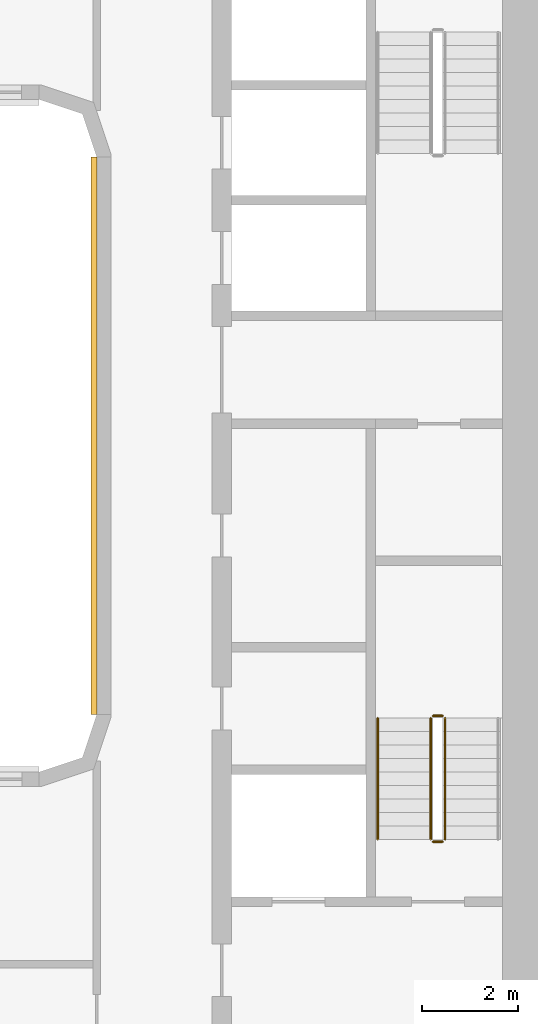
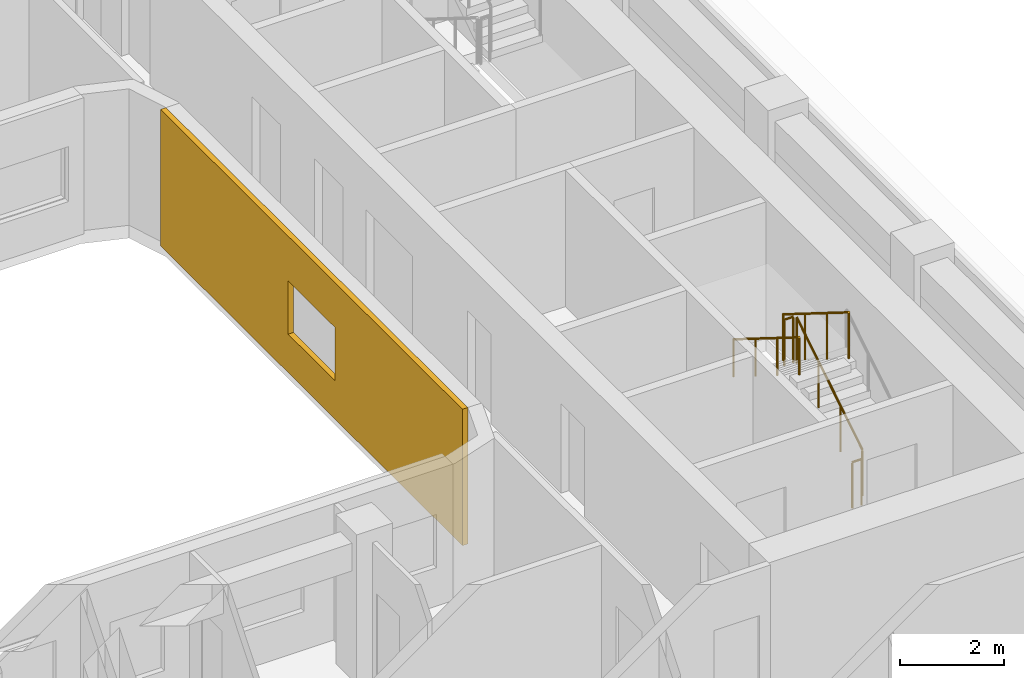
# One storey, part 16 of 21: 5 railings, 1 covering.
"""IFC4 building model written with IfcOpenShell, lengths in metres."""

from ifc_helpers import new_model, si_unit, direction, frame, origin, origin_2d, place, context, subcontext, project, spatial, polyline, circle, outline, extrude, material, layer, layer_set, type_object, element, save


model = new_model("IFC4")

# Units and contexts
model_context = context("Model", 3, precision=1e-05, world=origin(), true_north=direction((0.0, 1.0)))
body_context = subcontext(model_context, "Body", "Model", "MODEL_VIEW")
ifc_project = project(units=[si_unit("LENGTHUNIT", "METRE"), si_unit("AREAUNIT", "SQUARE_METRE"), si_unit("VOLUMEUNIT", "CUBIC_METRE"), si_unit("PLANEANGLEUNIT", "RADIAN"), si_unit("MASSUNIT", "GRAM", prefix="KILO")], contexts=[model_context])

# Site, building, storey
site_placement = place(None, origin())
site = spatial("IfcSite", under=ifc_project, at=site_placement, CompositionType="ELEMENT")
building_placement = place(site_placement, origin())
building = spatial("IfcBuilding", under=site, at=building_placement, Name="Kiln Ring Residences", CompositionType="ELEMENT")
storey_placement = place(building_placement, frame((0.0, 0.0, 192.39990234375)))
storey = spatial("IfcBuildingStorey", under=building, at=storey_placement, Name="L49", CompositionType="ELEMENT", Elevation=192.39990234375)

# Railings
ifc_material_1 = material(Name="Stainless steel", Category="steel")
railing_type_1 = type_object("IfcRailingType", Name="CORE-STAIR-GUARD", PredefinedType="GUARDRAIL", material=ifc_material_1)
railing_1_placement = place(storey_placement, frame((22.25, -8.39990234375, 0.175048828125)))
element("IfcRailing", 1, at=railing_1_placement, inside=storey, type_object=railing_type_1, Name="L49 E-STS stair guard 1", PredefinedType="GUARDRAIL", context=body_context, shape_type="SweptSolid", body=[
    extrude(circle(Radius=0.02392578125, at=origin_2d()), frame((0.0, 0.0, 1.076171875), z_axis=(0.0, 0.848007534815, 0.529984170421), x_axis=(-1.0, 0.0, 0.0)), (0.0, 0.0, 1.0), 2.9716796875),
    extrude(circle(Radius=0.02099609375, at=origin_2d()), origin(), (0.0, 0.0, 1.0), 1.052001953125),
    extrude(circle(Radius=0.02099609375, at=origin_2d()), frame((0.0, 0.840087890625, 0.52490234375)), (0.0, 0.0, 1.0), 1.052001953125),
    extrude(circle(Radius=0.02099609375, at=origin_2d()), frame((0.0, 1.679931640625, 1.050048828125)), (0.0, 0.0, 1.0), 1.052001953125),
    extrude(circle(Radius=0.02099609375, at=origin_2d()), frame((0.0, 2.52001953125, 1.574951171875)), (0.0, 0.0, 1.0), 1.052001953125),
])
railing_2_placement = place(storey_placement, frame((22.199951171875, -5.830078125, 1.75)))
element("IfcRailing", 2, at=railing_2_placement, inside=storey, type_object=railing_type_1, Name="L49 E-STS stair guard 2", PredefinedType="GUARDRAIL", context=body_context, shape_type="SweptSolid", body=[
    extrude(circle(Radius=0.02392578125, at=origin_2d()), frame((0.0, 0.0, 1.076171875), z_axis=(-1.0, 0.0, 0.0), x_axis=(0.0, -1.0, 0.0)), (0.0, 0.0, 1.0), 0.199951171875),
    extrude(circle(Radius=0.02099609375, at=origin_2d()), origin(), (0.0, 0.0, 1.0), 1.052001953125),
    extrude(circle(Radius=0.02099609375, at=origin_2d()), frame((-0.199951171875, 0.0, 0.0)), (0.0, 0.0, 1.0), 1.052001953125),
])
railing_3_placement = place(storey_placement, frame((21.949951171875, -5.8798828125, 1.925048828125)))
element("IfcRailing", 3, at=railing_3_placement, inside=storey, type_object=railing_type_1, Name="L49 E-STS stair guard 3", PredefinedType="GUARDRAIL", context=body_context, shape_type="SweptSolid", body=[
    extrude(circle(Radius=0.02392578125, at=origin_2d()), frame((0.0, 0.0, 1.076171875), z_axis=(0.0, -0.848007534815, 0.529984170421), x_axis=(1.0, 0.0, 0.0)), (0.0, 0.0, 1.0), 2.9716796875),
    extrude(circle(Radius=0.02099609375, at=origin_2d()), origin(), (0.0, 0.0, 1.0), 1.052001953125),
    extrude(circle(Radius=0.02099609375, at=origin_2d()), frame((0.0, -0.840087890625, 0.52490234375)), (0.0, 0.0, 1.0), 1.052001953125),
    extrude(circle(Radius=0.02099609375, at=origin_2d()), frame((0.0, -1.679931640625, 1.050048828125)), (0.0, 0.0, 1.0), 1.052001953125),
    extrude(circle(Radius=0.02099609375, at=origin_2d()), frame((0.0, -2.52001953125, 1.574951171875)), (0.0, 0.0, 1.0), 1.052001953125),
])
railing_4_placement = place(storey_placement, frame((22.199951171875, -8.449951171875, 0.0)))
element("IfcRailing", 4, at=railing_4_placement, inside=storey, type_object=railing_type_1, Name="L49 E-STS stair guard 4", PredefinedType="GUARDRAIL", context=body_context, shape_type="SweptSolid", body=[
    extrude(circle(Radius=0.02392578125, at=origin_2d()), frame((0.0, 0.0, 1.076171875), z_axis=(-1.0, 0.0, 0.0), x_axis=(0.0, -1.0, 0.0)), (0.0, 0.0, 1.0), 0.199951171875),
    extrude(circle(Radius=0.02099609375, at=origin_2d()), origin(), (0.0, 0.0, 1.0), 1.052001953125),
    extrude(circle(Radius=0.02099609375, at=origin_2d()), frame((-0.199951171875, 0.0, 0.0)), (0.0, 0.0, 1.0), 1.052001953125),
])
ifc_material_2 = material(Name="Stainless steel", Category="steel")
railing_type_2 = type_object("IfcRailingType", Name="CORE-STAIR-HANDRAIL", PredefinedType="HANDRAIL", material=ifc_material_2)
railing_5_placement = place(storey_placement, frame((20.85009765625, -5.8798828125, 1.925048828125)))
element("IfcRailing", 5, at=railing_5_placement, inside=storey, type_object=railing_type_2, Name="L49 E-STS stair handrail 2", PredefinedType="HANDRAIL", context=body_context, shape_type="SweptSolid", body=[
    extrude(circle(Radius=0.02392578125, at=origin_2d()), frame((0.0, 0.0, 0.8759765625), z_axis=(0.0, -0.848007534815, 0.529984170421), x_axis=(1.0, 0.0, 0.0)), (0.0, 0.0, 1.0), 2.9716796875),
    extrude(circle(Radius=0.02099609375, at=origin_2d()), origin(), (0.0, 0.0, 1.0), 0.851806640625),
    extrude(circle(Radius=0.02099609375, at=origin_2d()), frame((0.0, -0.840087890625, 0.52490234375)), (0.0, 0.0, 1.0), 0.851806640625),
    extrude(circle(Radius=0.02099609375, at=origin_2d()), frame((0.0, -1.679931640625, 1.050048828125)), (0.0, 0.0, 1.0), 0.851806640625),
    extrude(circle(Radius=0.02099609375, at=origin_2d()), frame((0.0, -2.52001953125, 1.574951171875)), (0.0, 0.0, 1.0), 0.851806640625),
])

# Covering
ifc_material_3 = material(Name="Brick masonry, dark clay brick", Category="masonry")
ifc_layer = layer(ifc_material_3, 0.1201171875)
ifc_layer_set = layer_set([ifc_layer], Name="RAINSCREEN PANEL 120")
covering_type = type_object("IfcCoveringType", Name="RAINSCREEN PANEL 120", PredefinedType="CLADDING", material=ifc_layer_set)
covering_placement = place(storey_placement, frame((14.93994140625, 5.800048828125, 0.0), z_axis=(0.0, 0.0, 1.0), x_axis=(0.0, -1.0, 0.0)))
element("IfcCovering", 6, at=covering_placement, inside=storey, type_object=covering_type, Name="RAINSCREEN L49", PredefinedType="CLADDING", context=body_context, shape_type="SweptSolid", body=[
    extrude(outline(polyline([(0.0, 0.0), (11.60009765625, 0.0), (11.60009765625, 3.2001953125), (0.0, 3.2001953125), (0.0, 0.0)]), holes=[polyline([(4.89990234375, 2.150146484375), (4.89990234375, 0.900146484375), (6.699951171875, 0.900146484375), (6.699951171875, 2.150146484375), (4.89990234375, 2.150146484375)])]), frame((0.0, 0.06005859375, 0.0), z_axis=(0.0, -1.0, 0.0), x_axis=(1.0, 0.0, 0.0)), (0.0, 0.0, 1.0), 0.1201171875),
])

save(model, "model.ifc")
